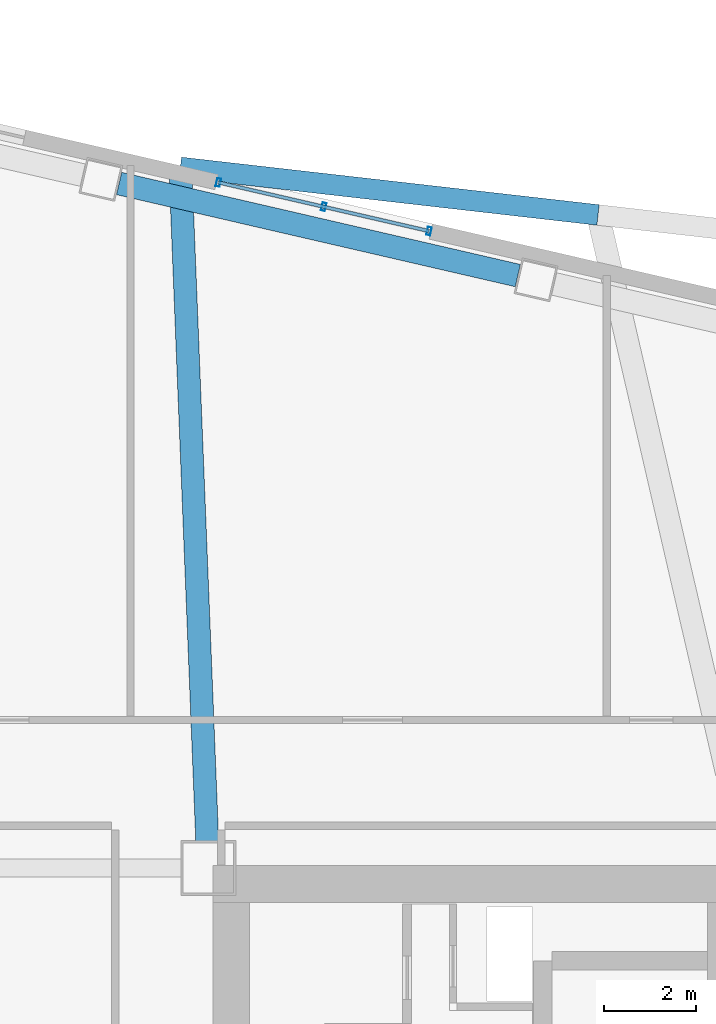
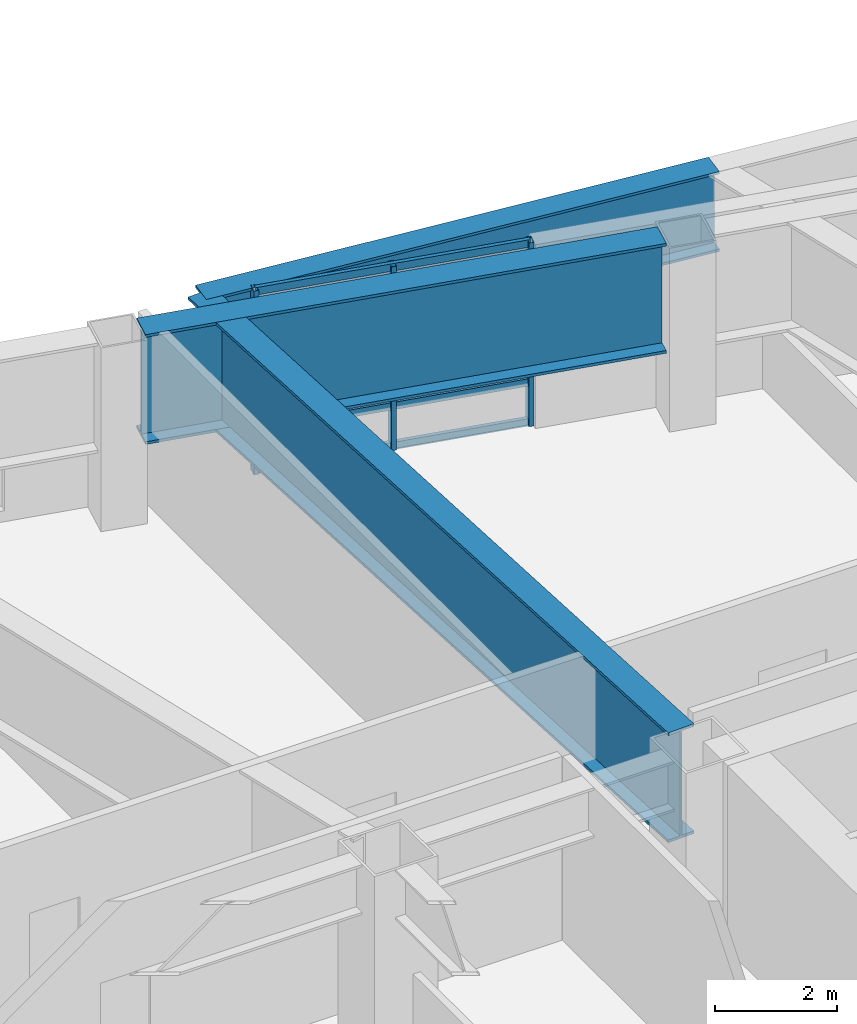
# One storey, part 7 of 19: 6 members, 3 beams, 1 element without a shape of its own.
"""IFC4 building model written with IfcOpenShell, lengths in metres."""

from ifc_helpers import new_model, si_unit, direction, frame, origin, origin_2d, place, context, subcontext, project, spatial, hollow_rectangle, i_section, extrude, material, layer, layer_set, material_profile, profile_set, type_object, element, aggregate, save


model = new_model("IFC4")

# Units and contexts
model_context = context("Model", 3, precision=1e-05, world=origin(), true_north=direction((0.0, 1.0)))
body_context = subcontext(model_context, "Body", "Model", "MODEL_VIEW")
ifc_project = project(units=[si_unit("LENGTHUNIT", "METRE"), si_unit("AREAUNIT", "SQUARE_METRE"), si_unit("VOLUMEUNIT", "CUBIC_METRE"), si_unit("PLANEANGLEUNIT", "RADIAN"), si_unit("MASSUNIT", "GRAM", prefix="KILO")], contexts=[model_context])

# Site, building, storey
site_placement = place(None, origin())
site = spatial("IfcSite", under=ifc_project, at=site_placement, CompositionType="ELEMENT")
building_placement = place(site_placement, origin())
building = spatial("IfcBuilding", under=site, at=building_placement, Name="Tavrogorsk Clinical Tower", CompositionType="ELEMENT")
storey_placement = place(building_placement, frame((0.0, 0.0, 79.39990234375)))
storey = spatial("IfcBuildingStorey", under=building, at=storey_placement, Name="L17", CompositionType="ELEMENT", Elevation=79.39990234375)

# Curtain wall, members
ifc_material_1 = material(Name="Anodised aluminium and triple IGU glazing", Category="aluminium")
ifc_layer = layer(ifc_material_1, 0.179931640625)
ifc_layer_set = layer_set([ifc_layer], Name="Anodised aluminium and triple IGU glazing")
curtain_wall_type = type_object("IfcCurtainWallType", Name="CW2_NorthSlot", PredefinedType="NOTDEFINED", material=ifc_layer_set)
curtain_wall_placement = place(storey_placement, origin())
curtain_wall = element("IfcCurtainWall", 1, at=curtain_wall_placement, inside=storey, type_object=curtain_wall_type, Name="L17 Curtain Wall CW-L17-N-SLOT-2", PredefinedType="NOTDEFINED")
ifc_material_2 = material(Name="Anodised aluminium alloy AW-6060", Category="aluminium")
ifc_material_profile_1 = material_profile(ifc_material_2, hollow_rectangle(XDim=0.090087890625, YDim=0.179931640625, WallThickness=0.00634765625, at=origin_2d()), Name="RHS-180x90x6.3")
ifc_profile_set_1 = profile_set([ifc_material_profile_1], Name="Anodised aluminium alloy AW-6060")
member_type_1 = type_object("IfcMemberType", Name="CwMullion_180x90", PredefinedType="MULLION", material=ifc_profile_set_1)
member_1_placement = place(storey_placement, frame((15.117919921875, 20.254638671875, 0.0), z_axis=(0.0, 0.0, 1.0), x_axis=(-0.974370046851, 0.224951132027, 0.0)))
member_1 = element("IfcMember", 2, at=member_1_placement, type_object=member_type_1, Name="CW-L17-N-SLOT-2 Mullion 1", PredefinedType="MULLION", context=body_context, shape_type="SweptSolid", body=[
    extrude(hollow_rectangle(XDim=0.090087890625, YDim=0.179931640625, WallThickness=0.00634765625, at=origin_2d()), origin(), (0.0, 0.0, 1.0), 3.68017578125),
])
member_2_placement = place(storey_placement, frame((12.8193359375, 20.78515625, 0.0), z_axis=(0.0, 0.0, 1.0), x_axis=(-0.974370046851, 0.224951132027, 0.0)))
member_2 = element("IfcMember", 3, at=member_2_placement, type_object=member_type_1, Name="CW-L17-N-SLOT-2 Mullion 2", PredefinedType="MULLION", context=body_context, shape_type="SweptSolid", body=[
    extrude(hollow_rectangle(XDim=0.090087890625, YDim=0.179931640625, WallThickness=0.00634765625, at=origin_2d()), origin(), (0.0, 0.0, 1.0), 3.68017578125),
])
member_3_placement = place(storey_placement, frame((10.520751953125, 21.31591796875, 0.0), z_axis=(0.0, 0.0, 1.0), x_axis=(-0.974370046851, 0.224951132027, 0.0)))
member_3 = element("IfcMember", 4, at=member_3_placement, type_object=member_type_1, Name="CW-L17-N-SLOT-2 Mullion 3", PredefinedType="MULLION", context=body_context, shape_type="SweptSolid", body=[
    extrude(hollow_rectangle(XDim=0.090087890625, YDim=0.179931640625, WallThickness=0.00634765625, at=origin_2d()), origin(), (0.0, 0.0, 1.0), 3.68017578125),
])
ifc_material_3 = material(Name="Anodised aluminium alloy AW-6060", Category="aluminium")
ifc_material_profile_2 = material_profile(ifc_material_3, hollow_rectangle(XDim=0.074951171875, YDim=0.14990234375, WallThickness=0.0048828125, at=origin_2d()), Name="RHS-150x75x5")
ifc_profile_set_2 = profile_set([ifc_material_profile_2], Name="Anodised aluminium alloy AW-6060")
member_type_2 = type_object("IfcMemberType", Name="CwTransom_150x75", PredefinedType="USERDEFINED", material=ifc_profile_set_2)
member_4_placement = place(storey_placement, frame((15.117919921875, 20.254638671875, 0.050048828125), z_axis=(-0.974372877948, 0.22493886885, 0.0), x_axis=(-0.22493886885, -0.974372877948, 0.0)))
member_4 = element("IfcMember", 5, at=member_4_placement, type_object=member_type_2, Name="CW-L17-N-SLOT-2 Transom 1", ObjectType="TRANSOM", PredefinedType="USERDEFINED", context=body_context, shape_type="SweptSolid", body=[
    extrude(hollow_rectangle(XDim=0.074951171875, YDim=0.14990234375, WallThickness=0.0048828125, at=origin_2d()), origin(), (0.0, 0.0, 1.0), 4.718017578125),
])
member_5_placement = place(storey_placement, frame((15.117919921875, 20.254638671875, 0.85009765625), z_axis=(-0.974372877948, 0.22493886885, 0.0), x_axis=(-0.22493886885, -0.974372877948, 0.0)))
member_5 = element("IfcMember", 6, at=member_5_placement, type_object=member_type_2, Name="CW-L17-N-SLOT-2 Transom 2", ObjectType="TRANSOM", PredefinedType="USERDEFINED", context=body_context, shape_type="SweptSolid", body=[
    extrude(hollow_rectangle(XDim=0.074951171875, YDim=0.14990234375, WallThickness=0.0048828125, at=origin_2d()), origin(), (0.0, 0.0, 1.0), 4.718017578125),
])
member_6_placement = place(storey_placement, frame((15.117919921875, 20.254638671875, 3.630126953125), z_axis=(-0.974372877948, 0.22493886885, 0.0), x_axis=(-0.22493886885, -0.974372877948, 0.0)))
member_6 = element("IfcMember", 7, at=member_6_placement, type_object=member_type_2, Name="CW-L17-N-SLOT-2 Transom 3", ObjectType="TRANSOM", PredefinedType="USERDEFINED", context=body_context, shape_type="SweptSolid", body=[
    extrude(hollow_rectangle(XDim=0.074951171875, YDim=0.14990234375, WallThickness=0.0048828125, at=origin_2d()), origin(), (0.0, 0.0, 1.0), 4.718017578125),
])
aggregate(curtain_wall, [member_1, member_2, member_3, member_4, member_5, member_6])

# Beams
ifc_material_4 = material(Name="Structural steel S440", Category="steel")
ifc_material_profile_3 = material_profile(ifc_material_4, i_section(OverallWidth=0.449951171875, OverallDepth=1.60009765625, WebThickness=0.031982421875, FlangeThickness=0.050048828125, at=origin_2d()), Name="DK-1600x450x32x50")
ifc_profile_set_3 = profile_set([ifc_material_profile_3], Name="Structural steel S440")
beam_type_1 = type_object("IfcBeamType", Name="TransferGirder_DK1600", PredefinedType="USERDEFINED", material=ifc_profile_set_3)
beam_1_placement = place(storey_placement, frame((18.8076171875, 20.606689453125, 2.880126953125), z_axis=(-0.993572313975, 0.113199191259, 0.0), x_axis=(-0.113199191259, -0.993572313975, 0.0)))
element("IfcBeam", 8, at=beam_1_placement, inside=storey, type_object=beam_type_1, Name="L18 Transfer Edge Girder N3-N4", ObjectType="GIRDER", PredefinedType="USERDEFINED", context=body_context, shape_type="SweptSolid", body=[
    extrude(i_section(OverallWidth=0.449951171875, OverallDepth=1.60009765625, WebThickness=0.031982421875, FlangeThickness=0.050048828125, at=origin_2d()), origin(), (0.0, 0.0, 1.0), 9.177001953125),
])
ifc_material_5 = material(Name="Structural steel S440", Category="steel")
ifc_material_profile_4 = material_profile(ifc_material_5, i_section(OverallWidth=0.5, OverallDepth=2.199951171875, WebThickness=0.035888671875, FlangeThickness=0.054931640625, at=origin_2d()), Name="DK-2200x500x36x55")
ifc_profile_set_4 = profile_set([ifc_material_profile_4], Name="Structural steel S440")
beam_type_2 = type_object("IfcBeamType", Name="TransferGirder_DK2200", PredefinedType="USERDEFINED", material=ifc_profile_set_4)
beam_2_placement = place(storey_placement, frame((17.056396484375, 19.28369140625, 2.580078125), z_axis=(-0.974372766602, 0.224939351168, 0.0), x_axis=(-0.224939351168, -0.974372766602, 0.0)))
element("IfcBeam", 9, at=beam_2_placement, inside=storey, type_object=beam_type_2, Name="L17 Perimeter Spandrel N3-N4", ObjectType="GIRDER", PredefinedType="USERDEFINED", context=body_context, shape_type="SweptSolid", body=[
    extrude(i_section(OverallWidth=0.5, OverallDepth=2.199951171875, WebThickness=0.035888671875, FlangeThickness=0.054931640625, at=origin_2d()), origin(), (0.0, 0.0, 1.0), 8.9326171875),
])
beam_3_placement = place(storey_placement, frame((10.277587890625, 6.90966796875, 2.580078125), z_axis=(-0.039863579921, 0.99920513159, 0.0), x_axis=(-0.99920513159, -0.039863579921, 0.0)))
element("IfcBeam", 10, at=beam_3_placement, inside=storey, type_object=beam_type_2, Name="L18 Block Transfer Girder N4", ObjectType="GIRDER", PredefinedType="USERDEFINED", context=body_context, shape_type="SweptSolid", body=[
    extrude(i_section(OverallWidth=0.5, OverallDepth=2.199951171875, WebThickness=0.035888671875, FlangeThickness=0.054931640625, at=origin_2d()), origin(), (0.0, 0.0, 1.0), 14.74755859375),
])

save(model, "model.ifc")
